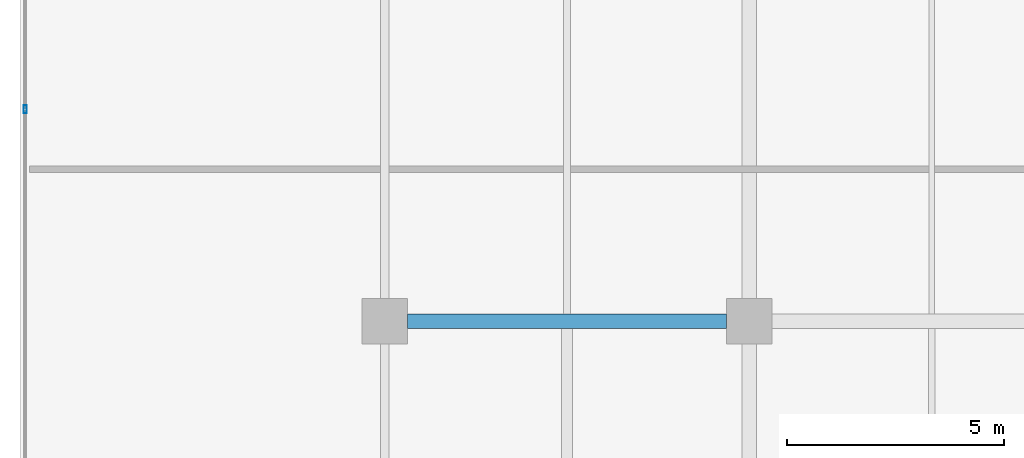
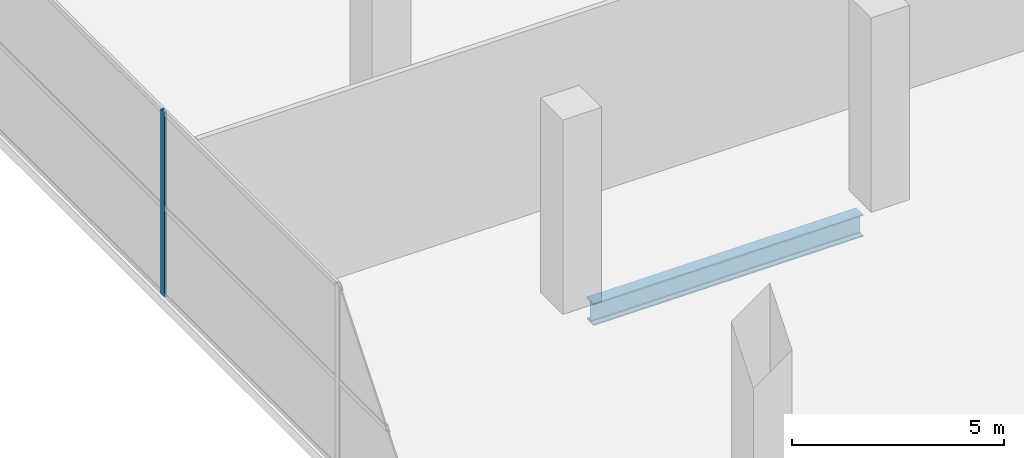
# One storey, part 9 of 40: 1 beam, 1 member, 1 element without a shape of its own.
"""IFC4 building model written with IfcOpenShell, lengths in metres."""

from ifc_helpers import new_model, si_unit, direction, frame, origin, origin_2d, place, context, subcontext, project, spatial, hollow_rectangle, i_section, extrude, material, layer, layer_set, material_profile, profile_set, type_object, element, aggregate, save


model = new_model("IFC4")

# Units and contexts
model_context = context("Model", 3, precision=1e-05, world=origin(), true_north=direction((0.0, 1.0)))
body_context = subcontext(model_context, "Body", "Model", "MODEL_VIEW")
ifc_project = project(units=[si_unit("LENGTHUNIT", "METRE"), si_unit("AREAUNIT", "SQUARE_METRE"), si_unit("VOLUMEUNIT", "CUBIC_METRE"), si_unit("PLANEANGLEUNIT", "RADIAN"), si_unit("MASSUNIT", "GRAM", prefix="KILO")], contexts=[model_context])

# Site, building, storey
site_placement = place(None, origin())
site = spatial("IfcSite", under=ifc_project, at=site_placement, CompositionType="ELEMENT")
building_placement = place(site_placement, origin())
building = spatial("IfcBuilding", under=site, at=building_placement, Name="Maruvema Waterfront Hotel and Observation Tower", CompositionType="ELEMENT")
storey_placement = place(building_placement, frame((0.0, 0.0, 10.85009765625)))
storey = spatial("IfcBuildingStorey", under=building, at=storey_placement, Name="L02", CompositionType="ELEMENT", Elevation=10.85009765625)

# Curtain wall, member
ifc_material_1 = material(Name="Anodised bronze aluminium and solar-control low-E IGU", Category="aluminium")
ifc_layer = layer(ifc_material_1, 0.159912109375, Name="Podium Waterfront Storefront Curtain Wall System CW-01")
ifc_layer_set = layer_set([ifc_layer], Name="Anodised bronze aluminium and solar-control low-E IGU")
curtain_wall_type = type_object("IfcCurtainWallType", Name="Podium Waterfront Storefront Curtain Wall System CW-01", PredefinedType="USERDEFINED", material=ifc_layer_set)
curtain_wall_placement = place(storey_placement, origin())
curtain_wall = element("IfcCurtainWall", 1, at=curtain_wall_placement, inside=storey, type_object=curtain_wall_type, Name="L02 Curtain Wall CW-L02-W", ObjectType="UNITISED CURTAIN WALL", PredefinedType="USERDEFINED")
ifc_material_2 = material(Name="Anodised architectural bronze aluminium", Category="aluminium")
ifc_material_profile_1 = material_profile(ifc_material_2, hollow_rectangle(XDim=0.070068359375, YDim=0.18994140625, WallThickness=0.00390625, at=origin_2d()), Name="ALU-M70x190")
ifc_profile_set_1 = profile_set([ifc_material_profile_1], Name="Anodised architectural bronze aluminium")
member_type = type_object("IfcMemberType", Name="Podium Storefront Heavy Mullion ALU-M70x190", PredefinedType="MULLION", material=ifc_profile_set_1)
member_placement = place(storey_placement, frame((0.1201171875, 22.8798828125, 0.0), z_axis=(0.0, 0.0, 1.0), x_axis=(1.0, 0.0, 0.0)))
member = element("IfcMember", 2, at=member_placement, type_object=member_type, Name="CW-01 mullion 4", PredefinedType="MULLION", context=body_context, shape_type="SweptSolid", body=[
    extrude(hollow_rectangle(XDim=0.070068359375, YDim=0.18994140625, WallThickness=0.00390625, at=origin_2d()), origin(), (0.0, 0.0, 1.0), 5.31982421875),
])
aggregate(curtain_wall, [member])

# Beam
ifc_material_3 = material(Name="Steel ASTM A572 Grade 50", Category="steel")
ifc_material_profile_2 = material_profile(ifc_material_3, i_section(OverallWidth=0.3291015625, OverallDepth=0.635009765625, WebThickness=0.017822265625, FlangeThickness=0.031005859375, FilletRadius=0.01806640625, at=origin_2d()), Name="W610x241.0")
ifc_profile_set_2 = profile_set([ifc_material_profile_2], Name="Steel ASTM A572 Grade 50")
beam_type = type_object("IfcBeamType", Name="Primary Floor Girder W610x241.0", PredefinedType="BEAM", material=ifc_profile_set_2)
beam_placement = place(storey_placement, frame((8.925048828125, 18.0, -0.59765625), z_axis=(1.0, 0.0, 0.0), x_axis=(0.0, 1.0, 0.0)))
element("IfcBeam", 3, at=beam_placement, inside=storey, type_object=beam_type, Name="L02 Floor Girder EW-15", PredefinedType="BEAM", context=body_context, shape_type="SweptSolid", body=[
    extrude(i_section(OverallWidth=0.3291015625, OverallDepth=0.635009765625, WebThickness=0.017822265625, FlangeThickness=0.031005859375, FilletRadius=0.01806640625, at=origin_2d()), origin(), (0.0, 0.0, 1.0), 7.349853515625),
])

save(model, "model.ifc")
